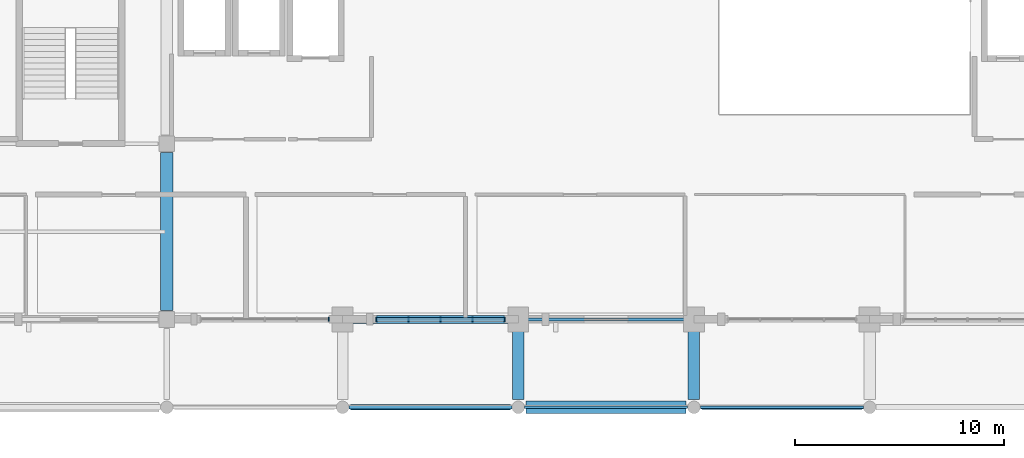
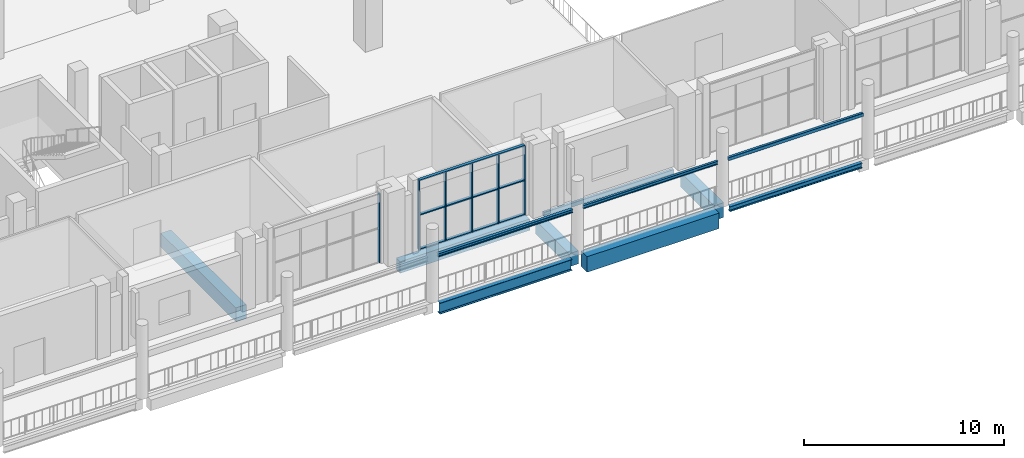
# One storey, part 16 of 75: 11 beams, 9 members, 2 elements without a shape of their own.
"""IFC4 building model written with IfcOpenShell, lengths in metres."""

from ifc_helpers import new_model, si_unit, derived_unit, direction, frame, origin, origin_2d, place, context, subcontext, project, spatial, rectangle, hollow_rectangle, i_section, extrude, material, material_profile, profile_set, type_object, element, aggregate, save


model = new_model("IFC4")

# Units and contexts
model_context = context("Model", 3, precision=1e-05, world=origin(), true_north=direction((0.0, 1.0)))
body_context = subcontext(model_context, "Body", "Model", "MODEL_VIEW")
ifc_project = project(units=[si_unit("LENGTHUNIT", "METRE"), si_unit("AREAUNIT", "SQUARE_METRE"), si_unit("VOLUMEUNIT", "CUBIC_METRE"), si_unit("PLANEANGLEUNIT", "RADIAN"), si_unit("MASSUNIT", "GRAM", prefix="KILO"), derived_unit("THERMALTRANSMITTANCEUNIT", [(si_unit("POWERUNIT", "WATT"), 1), (si_unit("LENGTHUNIT", "METRE"), -2), (si_unit("THERMODYNAMICTEMPERATUREUNIT", "KELVIN"), -1)])], contexts=[model_context])

# Site, building, storey
site_placement = place(None, origin())
site = spatial("IfcSite", under=ifc_project, at=site_placement, CompositionType="ELEMENT")
building_placement = place(site_placement, origin())
building = spatial("IfcBuilding", under=site, at=building_placement, Name="Barrovel Congress Hotel", CompositionType="ELEMENT")
storey_placement = place(building_placement, frame((0.0, 0.0, 5.39990234375)))
storey = spatial("IfcBuildingStorey", under=building, at=storey_placement, Name="L01", CompositionType="ELEMENT", Elevation=5.39990234375)

# Beams
ifc_material_1 = material(Name="Concrete C40", Category="concrete")
ifc_material_profile_1 = material_profile(ifc_material_1, rectangle(XDim=0.39990234375, YDim=0.699951171875, at=origin_2d()), Name="RC400x700")
ifc_profile_set_1 = profile_set([ifc_material_profile_1], Name="Concrete C40")
beam_type_1 = type_object("IfcBeamType", Name="BM-RC400x700", PredefinedType="BEAM", material=ifc_profile_set_1)
beam_1_placement = place(storey_placement, frame((42.449951171875, 4.199951171875, -0.60986328125), z_axis=(1.0, 0.0, 0.0), x_axis=(0.0, 1.0, 0.0)))
element("IfcBeam", 1, at=beam_1_placement, inside=storey, type_object=beam_type_1, Name="BMX:L01:4.2:42.0-50.4", PredefinedType="BEAM", context=body_context, shape_type="SweptSolid", body=[
    extrude(rectangle(XDim=0.39990234375, YDim=0.699951171875, at=origin_2d()), origin(), (0.0, 0.0, 1.0), 7.5),
])
ifc_material_profile_2 = material_profile(ifc_material_1, rectangle(XDim=0.550048828125, YDim=0.800048828125, at=origin_2d()), Name="RC550x800")
ifc_profile_set_2 = profile_set([ifc_material_profile_2], Name="Concrete C40")
beam_type_2 = type_object("IfcBeamType", Name="BM-RC550x800", PredefinedType="BEAM", material=ifc_profile_set_2)
beam_2_placement = place(storey_placement, frame((50.39990234375, 0.375, -0.659912109375), z_axis=(0.0, 1.0, 0.0), x_axis=(-1.0, 0.0, 0.0)))
element("IfcBeam", 2, at=beam_2_placement, inside=storey, type_object=beam_type_2, Name="BMY:L01:50.4:0.0-4.2", PredefinedType="BEAM", context=body_context, shape_type="SweptSolid", body=[
    extrude(rectangle(XDim=0.550048828125, YDim=0.800048828125, at=origin_2d()), origin(), (0.0, 0.0, 1.0), 3.375),
])
ifc_material_profile_3 = material_profile(ifc_material_1, rectangle(XDim=0.550048828125, YDim=0.89990234375, at=origin_2d()), Name="RC550x900")
ifc_profile_set_3 = profile_set([ifc_material_profile_3], Name="Concrete C40")
beam_type_3 = type_object("IfcBeamType", Name="BM-RC550x900", PredefinedType="BEAM", material=ifc_profile_set_3)
beam_3_placement = place(storey_placement, frame((58.800048828125, 0.375, -0.7099609375), z_axis=(0.0, 1.0, 0.0), x_axis=(-1.0, 0.0, 0.0)))
element("IfcBeam", 3, at=beam_3_placement, inside=storey, type_object=beam_type_3, Name="BMY:L01:58.8:0.0-4.2", PredefinedType="BEAM", context=body_context, shape_type="SweptSolid", body=[
    extrude(rectangle(XDim=0.550048828125, YDim=0.89990234375, at=origin_2d()), origin(), (0.0, 0.0, 1.0), 3.375),
])
ifc_material_profile_4 = material_profile(ifc_material_1, rectangle(XDim=0.60009765625, YDim=0.85009765625, at=origin_2d()), Name="RC600x850")
ifc_profile_set_4 = profile_set([ifc_material_profile_4], Name="Concrete C40")
beam_type_4 = type_object("IfcBeamType", Name="BM-RC600x850", PredefinedType="BEAM", material=ifc_profile_set_4)
beam_4_placement = place(storey_placement, frame((33.60009765625, 4.625, -0.684814453125), z_axis=(0.0, 1.0, 0.0), x_axis=(-1.0, 0.0, 0.0)))
element("IfcBeam", 4, at=beam_4_placement, inside=storey, type_object=beam_type_4, Name="BMY:L01:33.6:4.2-12.6", PredefinedType="BEAM", context=body_context, shape_type="SweptSolid", body=[
    extrude(rectangle(XDim=0.60009765625, YDim=0.85009765625, at=origin_2d()), origin(), (0.0, 0.0, 1.0), 7.550048828125),
])
ifc_material_profile_5 = material_profile(ifc_material_1, rectangle(XDim=0.60009765625, YDim=0.949951171875, at=origin_2d()), Name="RC600x950")
ifc_profile_set_5 = profile_set([ifc_material_profile_5], Name="Concrete C40")
beam_type_5 = type_object("IfcBeamType", Name="BM-RC600x950", PredefinedType="BEAM", material=ifc_profile_set_5)
beam_5_placement = place(storey_placement, frame((50.77490234375, 0.0, -0.73486328125), z_axis=(1.0, 0.0, 0.0), x_axis=(0.0, 1.0, 0.0)))
element("IfcBeam", 5, at=beam_5_placement, inside=storey, type_object=beam_type_5, Name="BMX:L01:0.0:50.4-58.8", PredefinedType="BEAM", context=body_context, shape_type="SweptSolid", body=[
    extrude(rectangle(XDim=0.60009765625, YDim=0.949951171875, at=origin_2d()), origin(), (0.0, 0.0, 1.0), 7.650146484375),
])

# Curtain wall, member
ifc_material_2 = material(Name="Anodised Aluminium Alloy 6063-T6", Category="aluminium")
curtain_wall_type = type_object("IfcCurtainWallType", Name="CW-ST-7200x3900", PredefinedType="USERDEFINED", material=ifc_material_2)
curtain_wall_1_placement = place(storey_placement, origin())
curtain_wall_1 = element("IfcCurtainWall", 6, at=curtain_wall_1_placement, inside=storey, type_object=curtain_wall_type, Name="CW:L01:S:04", ObjectType="STICK CURTAIN WALL", PredefinedType="USERDEFINED")
ifc_material_profile_6 = material_profile(ifc_material_2, rectangle(XDim=0.06494140625, YDim=0.18994140625, at=origin_2d()), Name="AL-M65x190")
ifc_profile_set_6 = profile_set([ifc_material_profile_6], Name="Anodised Aluminium Alloy 6063-T6")
member_type_1 = type_object("IfcMemberType", Name="CWM-AL-M65x190", PredefinedType="MULLION", material=ifc_profile_set_6)
member_1_placement = place(storey_placement, frame((41.340087890625, 4.199951171875, 0.0), z_axis=(0.0, 0.0, 1.0), x_axis=(1.0, 0.0, 0.0)))
member_1 = element("IfcMember", 7, at=member_1_placement, type_object=member_type_1, Name="CW:L01:S:04:M4", PredefinedType="MULLION", context=body_context, shape_type="SweptSolid", body=[
    extrude(rectangle(XDim=0.06494140625, YDim=0.18994140625, at=origin_2d()), origin(), (0.0, 0.0, 1.0), 4.22021484375),
])
aggregate(curtain_wall_1, [member_1])

# Curtain wall, members
curtain_wall_2_placement = place(storey_placement, origin())
curtain_wall_2 = element("IfcCurtainWall", 8, at=curtain_wall_2_placement, inside=storey, type_object=curtain_wall_type, Name="CW:L01:S:05", ObjectType="STICK CURTAIN WALL", PredefinedType="USERDEFINED")
ifc_material_profile_7 = material_profile(ifc_material_2, rectangle(XDim=0.06494140625, YDim=0.219970703125, at=origin_2d()), Name="AL-M65x220")
ifc_profile_set_7 = profile_set([ifc_material_profile_7], Name="Anodised Aluminium Alloy 6063-T6")
member_type_2 = type_object("IfcMemberType", Name="CWM-AL-M65x220", PredefinedType="MULLION", material=ifc_profile_set_7)
member_2_placement = place(storey_placement, frame((43.6201171875, 4.199951171875, 0.0), z_axis=(0.0, 0.0, 1.0), x_axis=(1.0, 0.0, 0.0)))
member_2 = element("IfcMember", 9, at=member_2_placement, type_object=member_type_2, Name="CW:L01:S:05:M0", PredefinedType="MULLION", context=body_context, shape_type="SweptSolid", body=[
    extrude(rectangle(XDim=0.06494140625, YDim=0.219970703125, at=origin_2d()), origin(), (0.0, 0.0, 1.0), 4.22021484375),
])
member_3_placement = place(storey_placement, frame((45.14990234375, 4.199951171875, 0.0), z_axis=(0.0, 0.0, 1.0), x_axis=(1.0, 0.0, 0.0)))
member_3 = element("IfcMember", 10, at=member_3_placement, type_object=member_type_2, Name="CW:L01:S:05:M1", PredefinedType="MULLION", context=body_context, shape_type="SweptSolid", body=[
    extrude(rectangle(XDim=0.06494140625, YDim=0.219970703125, at=origin_2d()), origin(), (0.0, 0.0, 1.0), 4.22021484375),
])
member_4_placement = place(storey_placement, frame((46.679931640625, 4.199951171875, 0.0), z_axis=(0.0, 0.0, 1.0), x_axis=(1.0, 0.0, 0.0)))
member_4 = element("IfcMember", 11, at=member_4_placement, type_object=member_type_2, Name="CW:L01:S:05:M2", PredefinedType="MULLION", context=body_context, shape_type="SweptSolid", body=[
    extrude(rectangle(XDim=0.06494140625, YDim=0.219970703125, at=origin_2d()), origin(), (0.0, 0.0, 1.0), 4.22021484375),
])
member_5_placement = place(storey_placement, frame((48.2099609375, 4.199951171875, 0.0), z_axis=(0.0, 0.0, 1.0), x_axis=(1.0, 0.0, 0.0)))
member_5 = element("IfcMember", 12, at=member_5_placement, type_object=member_type_2, Name="CW:L01:S:05:M3", PredefinedType="MULLION", context=body_context, shape_type="SweptSolid", body=[
    extrude(rectangle(XDim=0.06494140625, YDim=0.219970703125, at=origin_2d()), origin(), (0.0, 0.0, 1.0), 4.22021484375),
])
member_6_placement = place(storey_placement, frame((49.739990234375, 4.199951171875, 0.0), z_axis=(0.0, 0.0, 1.0), x_axis=(1.0, 0.0, 0.0)))
member_6 = element("IfcMember", 13, at=member_6_placement, type_object=member_type_2, Name="CW:L01:S:05:M4", PredefinedType="MULLION", context=body_context, shape_type="SweptSolid", body=[
    extrude(rectangle(XDim=0.06494140625, YDim=0.219970703125, at=origin_2d()), origin(), (0.0, 0.0, 1.0), 4.22021484375),
])
ifc_material_profile_8 = material_profile(ifc_material_2, rectangle(XDim=0.179931640625, YDim=0.06494140625, at=origin_2d()), Name="AL-T65x180")
ifc_profile_set_8 = profile_set([ifc_material_profile_8], Name="Anodised Aluminium Alloy 6063-T6")
member_type_3 = type_object("IfcMemberType", Name="CWT-AL-T65x180", PredefinedType="USERDEFINED", material=ifc_profile_set_8)
member_7_placement = place(storey_placement, frame((43.6201171875, 4.199951171875, 0.0), z_axis=(1.0, 0.0, 0.0), x_axis=(0.0, 1.0, 0.0)))
member_7 = element("IfcMember", 14, at=member_7_placement, type_object=member_type_3, Name="CW:L01:S:05:T0", ObjectType="TRANSOM", PredefinedType="USERDEFINED", context=body_context, shape_type="SweptSolid", body=[
    extrude(rectangle(XDim=0.179931640625, YDim=0.06494140625, at=origin_2d()), origin(), (0.0, 0.0, 1.0), 6.119873046875),
])
member_8_placement = place(storey_placement, frame((43.6201171875, 4.199951171875, 2.110107421875), z_axis=(1.0, 0.0, 0.0), x_axis=(0.0, 1.0, 0.0)))
member_8 = element("IfcMember", 15, at=member_8_placement, type_object=member_type_3, Name="CW:L01:S:05:T1", ObjectType="TRANSOM", PredefinedType="USERDEFINED", context=body_context, shape_type="SweptSolid", body=[
    extrude(rectangle(XDim=0.179931640625, YDim=0.06494140625, at=origin_2d()), origin(), (0.0, 0.0, 1.0), 6.119873046875),
])
member_9_placement = place(storey_placement, frame((43.6201171875, 4.199951171875, 4.22021484375), z_axis=(1.0, 0.0, 0.0), x_axis=(0.0, 1.0, 0.0)))
member_9 = element("IfcMember", 16, at=member_9_placement, type_object=member_type_3, Name="CW:L01:S:05:T2", ObjectType="TRANSOM", PredefinedType="USERDEFINED", context=body_context, shape_type="SweptSolid", body=[
    extrude(rectangle(XDim=0.179931640625, YDim=0.06494140625, at=origin_2d()), origin(), (0.0, 0.0, 1.0), 6.119873046875),
])
aggregate(curtain_wall_2, [member_2, member_3, member_4, member_5, member_6, member_7, member_8, member_9])

# Beams
ifc_material_3 = material(Name="Steel ASTM A500 Grade C", Category="steel")
ifc_material_profile_9 = material_profile(ifc_material_3, hollow_rectangle(XDim=0.15234375, YDim=0.203125, WallThickness=0.0087890625, InnerFilletRadius=0.0087890625, OuterFilletRadius=0.017578125, at=origin_2d()), Name="HSS203x152x9.5")
ifc_profile_set_9 = profile_set([ifc_material_profile_9], Name="Steel ASTM A500 Grade C")
beam_type_6 = type_object("IfcBeamType", Name="SBM-HSS203x152x9.5", PredefinedType="LINTEL", material=ifc_profile_set_9)
beam_6_placement = place(storey_placement, frame((59.10009765625, 0.0, 2.6484375), z_axis=(1.0, 0.0, 0.0), x_axis=(0.0, 1.0, 0.0)))
element("IfcBeam", 17, at=beam_6_placement, inside=storey, type_object=beam_type_6, Name="LIN:L01:58.8-67.2", PredefinedType="LINTEL", context=body_context, shape_type="SweptSolid", body=[
    extrude(hollow_rectangle(XDim=0.15234375, YDim=0.203125, WallThickness=0.0087890625, InnerFilletRadius=0.0087890625, OuterFilletRadius=0.017578125, at=origin_2d()), origin(), (0.0, 0.0, 1.0), 7.7998046875),
])
ifc_material_profile_10 = material_profile(ifc_material_3, hollow_rectangle(XDim=0.15234375, YDim=0.25390625, WallThickness=0.0087890625, InnerFilletRadius=0.0087890625, OuterFilletRadius=0.017578125, at=origin_2d()), Name="HSS254x152x9.5")
ifc_profile_set_10 = profile_set([ifc_material_profile_10], Name="Steel ASTM A500 Grade C")
beam_type_7 = type_object("IfcBeamType", Name="SBM-HSS254x152x9.5", PredefinedType="SPANDREL", material=ifc_profile_set_10)
beam_7_placement = place(storey_placement, frame((50.85009765625, 4.199951171875, -0.386962890625), z_axis=(1.0, 0.0, 0.0), x_axis=(0.0, 1.0, 0.0)))
element("IfcBeam", 18, at=beam_7_placement, inside=storey, type_object=beam_type_7, Name="BMX:L01:4.2:50.4-58.8", PredefinedType="SPANDREL", context=body_context, shape_type="SweptSolid", body=[
    extrude(hollow_rectangle(XDim=0.15234375, YDim=0.25390625, WallThickness=0.0087890625, InnerFilletRadius=0.0087890625, OuterFilletRadius=0.017578125, at=origin_2d()), origin(), (0.0, 0.0, 1.0), 7.5),
])
ifc_material_4 = material(Name="Steel ASTM A992 Grade 50", Category="steel")
ifc_material_profile_11 = material_profile(ifc_material_4, i_section(OverallWidth=0.133056640625, OverallDepth=0.20703125, WebThickness=0.005859375, FlangeThickness=0.00830078125, FilletRadius=0.010009765625, at=origin_2d()), Name="W200x27")
ifc_profile_set_11 = profile_set([ifc_material_profile_11], Name="Steel ASTM A992 Grade 50")
beam_type_8 = type_object("IfcBeamType", Name="SBM-W200x27", PredefinedType="LINTEL", material=ifc_profile_set_11)
beam_8_placement = place(storey_placement, frame((50.699951171875, 0.0, 2.646484375), z_axis=(1.0, 0.0, 0.0), x_axis=(0.0, 1.0, 0.0)))
element("IfcBeam", 19, at=beam_8_placement, inside=storey, type_object=beam_type_8, Name="LIN:L01:50.4-58.8", PredefinedType="LINTEL", context=body_context, shape_type="SweptSolid", body=[
    extrude(i_section(OverallWidth=0.133056640625, OverallDepth=0.20703125, WebThickness=0.005859375, FlangeThickness=0.00830078125, FilletRadius=0.010009765625, at=origin_2d()), origin(), (0.0, 0.0, 1.0), 7.800048828125),
])
ifc_material_profile_12 = material_profile(ifc_material_4, i_section(OverallWidth=0.166015625, OverallDepth=0.205078125, WebThickness=0.007080078125, FlangeThickness=0.01171875, FilletRadius=0.010009765625, at=origin_2d()), Name="W200x42")
ifc_profile_set_12 = profile_set([ifc_material_profile_12], Name="Steel ASTM A992 Grade 50")
beam_type_9 = type_object("IfcBeamType", Name="SBM-W200x42", PredefinedType="LINTEL", material=ifc_profile_set_12)
beam_9_placement = place(storey_placement, frame((42.300048828125, 0.0, 2.647705078125), z_axis=(1.0, 0.0, 0.0), x_axis=(0.0, 1.0, 0.0)))
element("IfcBeam", 20, at=beam_9_placement, inside=storey, type_object=beam_type_9, Name="LIN:L01:42.0-50.4", PredefinedType="LINTEL", context=body_context, shape_type="SweptSolid", body=[
    extrude(i_section(OverallWidth=0.166015625, OverallDepth=0.205078125, WebThickness=0.007080078125, FlangeThickness=0.01171875, FilletRadius=0.010009765625, at=origin_2d()), origin(), (0.0, 0.0, 1.0), 7.800048828125),
])
ifc_material_profile_13 = material_profile(ifc_material_4, i_section(OverallWidth=0.205078125, OverallDepth=0.31005859375, WebThickness=0.009521484375, FlangeThickness=0.016357421875, FilletRadius=0.012939453125, at=origin_2d()), Name="W310x74")
ifc_profile_set_13 = profile_set([ifc_material_profile_13], Name="Steel ASTM A992 Grade 50")
beam_type_10 = type_object("IfcBeamType", Name="SBM-W310x74", PredefinedType="SPANDREL", material=ifc_profile_set_13)
beam_10_placement = place(storey_placement, frame((59.175048828125, 0.0, -0.414794921875), z_axis=(1.0, 0.0, 0.0), x_axis=(0.0, 1.0, 0.0)))
element("IfcBeam", 21, at=beam_10_placement, inside=storey, type_object=beam_type_10, Name="BMX:L01:0.0:58.8-67.2", PredefinedType="SPANDREL", context=body_context, shape_type="SweptSolid", body=[
    extrude(i_section(OverallWidth=0.205078125, OverallDepth=0.31005859375, WebThickness=0.009521484375, FlangeThickness=0.016357421875, FilletRadius=0.012939453125, at=origin_2d()), origin(), (0.0, 0.0, 1.0), 7.64990234375),
])
ifc_material_profile_14 = material_profile(ifc_material_4, i_section(OverallWidth=0.25390625, OverallDepth=0.68408203125, WebThickness=0.012451171875, FlangeThickness=0.01904296875, FilletRadius=0.014892578125, at=origin_2d()), Name="W690x140")
ifc_profile_set_14 = profile_set([ifc_material_profile_14], Name="Steel ASTM A992 Grade 50")
beam_type_11 = type_object("IfcBeamType", Name="SBM-W690x140", PredefinedType="BEAM", material=ifc_profile_set_14)
beam_11_placement = place(storey_placement, frame((42.375, 0.0, -0.601806640625), z_axis=(1.0, 0.0, 0.0), x_axis=(0.0, 1.0, 0.0)))
element("IfcBeam", 22, at=beam_11_placement, inside=storey, type_object=beam_type_11, Name="BMX:L01:0.0:42.0-50.4", PredefinedType="BEAM", context=body_context, shape_type="SweptSolid", body=[
    extrude(i_section(OverallWidth=0.25390625, OverallDepth=0.68408203125, WebThickness=0.012451171875, FlangeThickness=0.01904296875, FilletRadius=0.014892578125, at=origin_2d()), origin(), (0.0, 0.0, 1.0), 7.64990234375),
])

save(model, "model.ifc")
